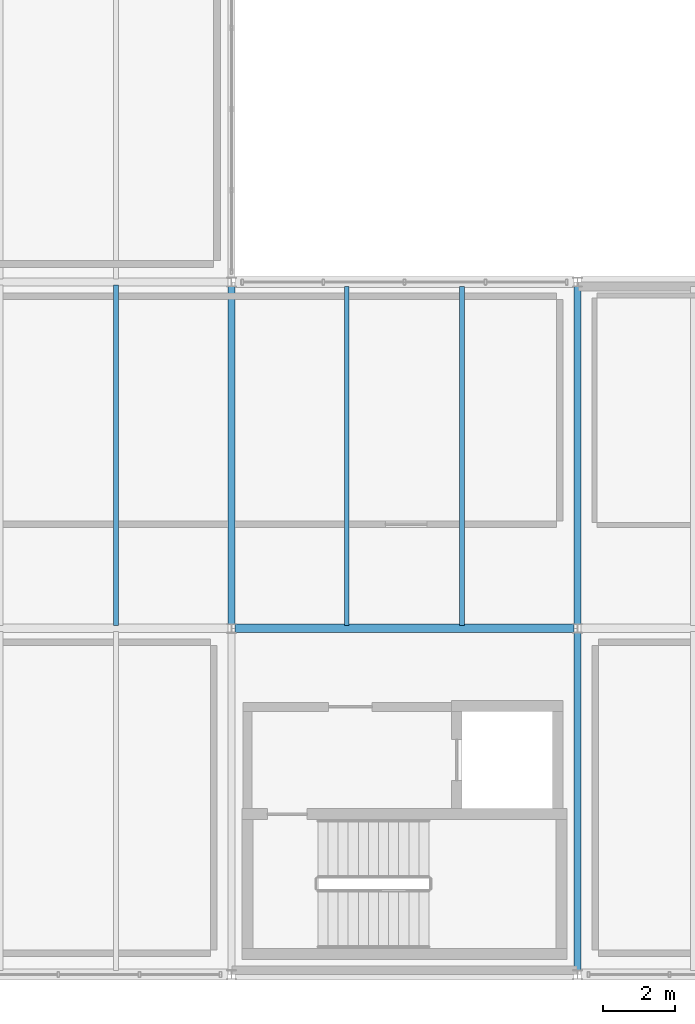
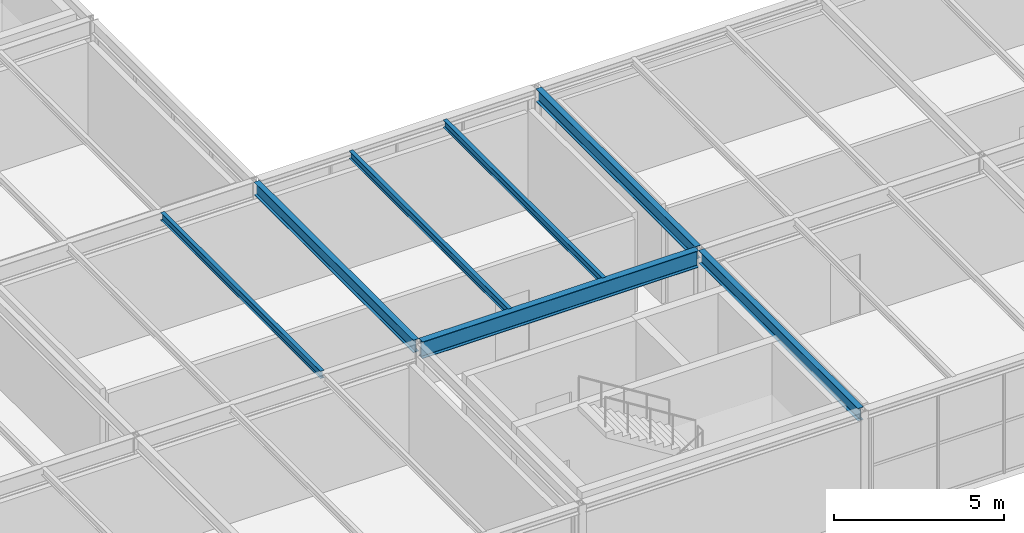
# One storey, part 11 of 39: 7 beams.
"""IFC4 building model written with IfcOpenShell, lengths in metres."""

from ifc_helpers import new_model, si_unit, direction, frame, origin, origin_2d, place, context, subcontext, project, spatial, i_section, extrude, material, material_profile, profile_set, type_object, element, save


model = new_model("IFC4")

# Units and contexts
model_context = context("Model", 3, precision=1e-05, world=origin(), true_north=direction((0.0, 1.0)))
body_context = subcontext(model_context, "Body", "Model", "MODEL_VIEW")
ifc_project = project(units=[si_unit("LENGTHUNIT", "METRE"), si_unit("AREAUNIT", "SQUARE_METRE"), si_unit("VOLUMEUNIT", "CUBIC_METRE"), si_unit("PLANEANGLEUNIT", "RADIAN"), si_unit("MASSUNIT", "GRAM", prefix="KILO")], contexts=[model_context])

# Site, building, storey
site_placement = place(None, origin())
site = spatial("IfcSite", under=ifc_project, at=site_placement, CompositionType="ELEMENT")
building_placement = place(site_placement, origin())
building = spatial("IfcBuilding", under=site, at=building_placement, Name="Coralgate Yard Interchange", CompositionType="ELEMENT")
storey_placement = place(building_placement, frame((0.0, 0.0, 18.89990234375)))
storey = spatial("IfcBuildingStorey", under=building, at=storey_placement, Name="L04", CompositionType="ELEMENT", Elevation=18.89990234375)

# Beams
ifc_material = material(Name="Structural steel S355J2", Category="steel")
ifc_material_profile_1 = material_profile(ifc_material, i_section(OverallWidth=0.1904296875, OverallDepth=0.45703125, WebThickness=0.009033203125, FlangeThickness=0.014404296875, FilletRadius=0.01025390625, at=origin_2d()), Name="UB 457x191x74")
ifc_profile_set_1 = profile_set([ifc_material_profile_1], Name="Structural steel S355J2")
beam_type_1 = type_object("IfcBeamType", Name="BM-SB-2", PredefinedType="BEAM", material=ifc_profile_set_1)
for number, where, z_axis, x_axis, name in (
    (1, (19.199951171875, 9.703369140625, 3.7216796875), (0.0, 1.0, 0.0), (-1.0, 0.0, 0.0), "L04 primary grid girder X2 Y1-2"),
    (2, (28.800048828125, 0.103271484375, 3.7216796875), (0.0, 1.0, 0.0), (-1.0, 0.0, 0.0), "L04 primary grid girder X3 Y0-1"),
    (3, (28.800048828125, 9.703369140625, 3.7216796875), (0.0, 1.0, 0.0), (-1.0, 0.0, 0.0), "L04 primary grid girder X3 Y1-2"),
):
    element("IfcBeam", number, at=place(storey_placement, frame(where, z_axis=z_axis, x_axis=x_axis)), inside=storey, type_object=beam_type_1, Name=name, PredefinedType="BEAM", context=body_context, shape_type="SweptSolid", body=[
        extrude(i_section(OverallWidth=0.1904296875, OverallDepth=0.45703125, WebThickness=0.009033203125, FlangeThickness=0.014404296875, FilletRadius=0.01025390625, at=origin_2d()), origin(), (0.0, 0.0, 1.0), 9.393310546875),
    ])
ifc_material_profile_2 = material_profile(ifc_material, i_section(OverallWidth=0.228271484375, OverallDepth=0.607666015625, WebThickness=0.010986328125, FlangeThickness=0.017333984375, FilletRadius=0.0126953125, at=origin_2d()), Name="UB 610x229x113")
ifc_profile_set_2 = profile_set([ifc_material_profile_2], Name="Structural steel S355J2")
beam_type_2 = type_object("IfcBeamType", Name="BM-SG-5", PredefinedType="BEAM", material=ifc_profile_set_2)
beam_1_placement = place(storey_placement, frame((19.29931640625, 9.60009765625, 3.646240234375), z_axis=(1.0, 0.0, 0.0), x_axis=(0.0, 1.0, 0.0)))
element("IfcBeam", 4, at=beam_1_placement, inside=storey, type_object=beam_type_2, Name="L04 primary grid beam Y1 X2-3", PredefinedType="BEAM", context=body_context, shape_type="SweptSolid", body=[
    extrude(i_section(OverallWidth=0.228271484375, OverallDepth=0.607666015625, WebThickness=0.010986328125, FlangeThickness=0.017333984375, FilletRadius=0.0126953125, at=origin_2d()), origin(), (0.0, 0.0, 1.0), 9.4013671875),
])
ifc_material_profile_3 = material_profile(ifc_material, i_section(OverallWidth=0.135009765625, OverallDepth=0.27001953125, WebThickness=0.006591796875, FlangeThickness=0.01025390625, FilletRadius=0.014892578125, at=origin_2d()), Name="IPE 270")
ifc_profile_set_3 = profile_set([ifc_material_profile_3], Name="Structural steel S355J2")
beam_type_3 = type_object("IfcBeamType", Name="BM-SJ-3", PredefinedType="JOIST", material=ifc_profile_set_3)
beam_2_placement = place(storey_placement, frame((16.0, 9.68408203125, 3.815185546875), z_axis=(0.0, 1.0, 0.0), x_axis=(-1.0, 0.0, 0.0)))
element("IfcBeam", 5, at=beam_2_placement, inside=storey, type_object=beam_type_3, Name="L04 composite floor joist 1-1-2", PredefinedType="JOIST", context=body_context, shape_type="SweptSolid", body=[
    extrude(i_section(OverallWidth=0.135009765625, OverallDepth=0.27001953125, WebThickness=0.006591796875, FlangeThickness=0.01025390625, FilletRadius=0.014892578125, at=origin_2d()), origin(), (0.0, 0.0, 1.0), 9.431884765625),
])
for number, where, z_axis, x_axis, name in (
    (6, (22.39990234375, 9.68408203125, 3.815185546875), (0.0, 1.0, 0.0), (-1.0, 0.0, 0.0), "L04 composite floor joist 2-1-1"),
    (7, (25.60009765625, 9.68408203125, 3.815185546875), (0.0, 1.0, 0.0), (-1.0, 0.0, 0.0), "L04 composite floor joist 2-1-2"),
):
    element("IfcBeam", number, at=place(storey_placement, frame(where, z_axis=z_axis, x_axis=x_axis)), inside=storey, type_object=beam_type_3, Name=name, PredefinedType="JOIST", context=body_context, shape_type="SweptSolid", body=[
        extrude(i_section(OverallWidth=0.135009765625, OverallDepth=0.27001953125, WebThickness=0.006591796875, FlangeThickness=0.01025390625, FilletRadius=0.014892578125, at=origin_2d()), origin(), (0.0, 0.0, 1.0), 9.39599609375),
    ])

save(model, "model.ifc")
